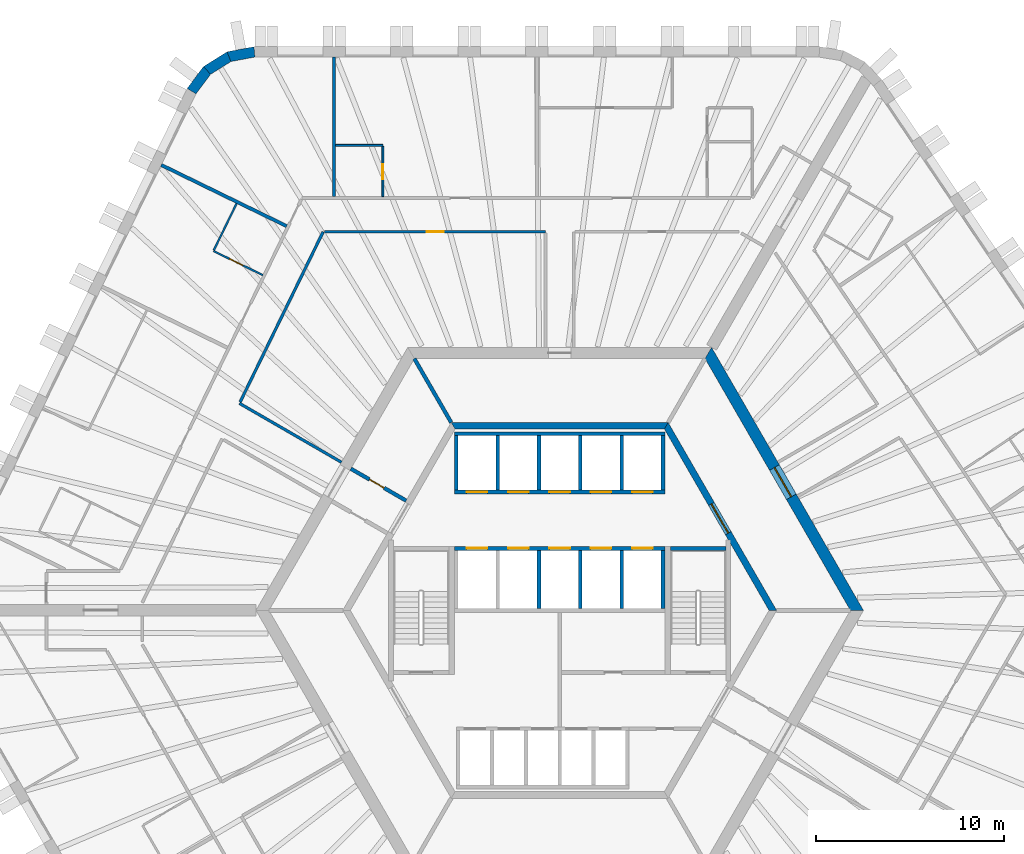
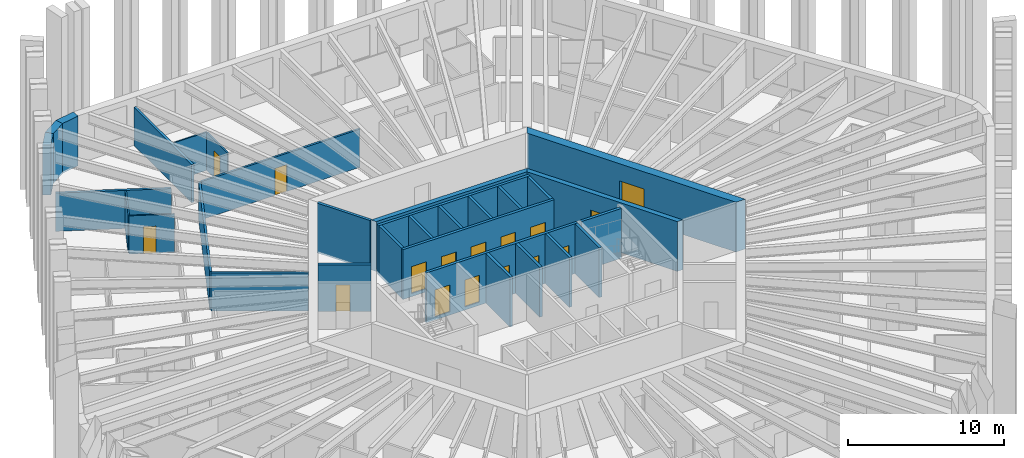
# One storey, part 8 of 13: 31 walls, 16 doors, 16 openings.
"""IFC4 building model written with IfcOpenShell, lengths in metres."""

from ifc_helpers import new_model, si_unit, direction, frame, frame_2d, origin, place, context, subcontext, project, spatial, polyline, rectangle, outline, extrude, material, layer, layer_set, type_object, element, fill, save


model = new_model("IFC4")

# Units and contexts
model_context = context("Model", 3, precision=1e-05, world=origin(), true_north=direction((0.0, 1.0)))
body_context = subcontext(model_context, "Body", "Model", "MODEL_VIEW")
ifc_project = project(units=[si_unit("LENGTHUNIT", "METRE"), si_unit("AREAUNIT", "SQUARE_METRE"), si_unit("VOLUMEUNIT", "CUBIC_METRE"), si_unit("PLANEANGLEUNIT", "RADIAN"), si_unit("MASSUNIT", "GRAM", prefix="KILO")], contexts=[model_context])

# Site, building, storey
site_placement = place(None, origin())
site = spatial("IfcSite", under=ifc_project, at=site_placement, CompositionType="ELEMENT")
building_placement = place(site_placement, origin())
building = spatial("IfcBuilding", under=site, at=building_placement, Name="Tarnside Tower", CompositionType="ELEMENT")
storey_placement = place(building_placement, frame((0.0, 0.0, 68.699951171875)))
storey = spatial("IfcBuildingStorey", under=building, at=storey_placement, Name="L14", CompositionType="ELEMENT", Elevation=68.699951171875)

# Wall
ifc_material_1 = material(Name="Gypsum board partition on steel studs", Category="steel")
ifc_layer_1 = layer(ifc_material_1, 0.10009765625)
ifc_layer_set_1 = layer_set([ifc_layer_1], Name="Bathroom wall 100")
wall_type_1 = type_object("IfcWallType", Name="Bathroom wall 100", PredefinedType="PARTITIONING", material=ifc_layer_set_1)
wall_1_placement = place(storey_placement, frame((-11.921142578125, 24.75, 0.0), z_axis=(0.0, 0.0, 1.0), x_axis=(1.0, 0.0, 0.0)))
element("IfcWall", 1, at=wall_1_placement, inside=storey, type_object=wall_type_1, Name="Bathroom wall 04086", PredefinedType="PARTITIONING", context=body_context, shape_type="SweptSolid", body=[
    extrude(rectangle(XDim=2.510009765625, YDim=0.10009765625, at=frame_2d((1.2548828125, 0.0))), origin(), (0.0, 0.0, 1.0), 2.98779296875),
])

# Wall, opening, door
wall_2_placement = place(storey_placement, frame((-9.4111328125, 24.699951171875, 0.0), z_axis=(0.0, 0.0, 1.0), x_axis=(0.0, -1.0, 0.0)))
wall_2 = element("IfcWall", 2, at=wall_2_placement, inside=storey, type_object=wall_type_1, Name="Bathroom wall 04087", PredefinedType="PARTITIONING", context=body_context, shape_type="SweptSolid", body=[
    extrude(rectangle(XDim=2.675048828125, YDim=0.10009765625, at=frame_2d((1.33740234375, 0.0))), origin(), (0.0, 0.0, 1.0), 2.98779296875),
])
opening_1_placement = place(wall_2_placement, frame((0.949951171875, 0.0, 0.0)))
opening_1 = element("IfcOpeningElement", 3, at=opening_1_placement, cuts=wall_2, Name="Opening D-B1", PredefinedType="OPENING", context=body_context, shape_type="SweptSolid", body=[
    extrude(rectangle(XDim=0.800048828125, YDim=2.10009765625, at=frame_2d((0.39990234375, 1.050048828125))), frame((0.0, 0.06005859375, 0.0), z_axis=(0.0, -1.0, 0.0), x_axis=(1.0, 0.0, 0.0)), (0.0, 0.0, 1.0), 0.1201171875),
])
ifc_material_2 = material(Name="Timber door leaf", Category="wood")
door_type_1 = type_object("IfcDoorType", Name="Bathroom door 800", OperationType="NOTDEFINED", PredefinedType="DOOR", material=ifc_material_2)
door_1_placement = place(opening_1_placement, origin())
door_1 = element("IfcDoor", 4, at=door_1_placement, inside=storey, type_object=door_type_1, Name="Bathroom door 04006", OperationType="SINGLE_SWING_LEFT", OverallHeight=2.10009765625, OverallWidth=0.800048828125, PredefinedType="DOOR", context=body_context, shape_type="SweptSolid", body=[
    extrude(rectangle(XDim=0.800048828125, YDim=2.10009765625, at=frame_2d((0.39990234375, 1.050048828125))), frame((0.0, 0.02490234375, 0.0), z_axis=(0.0, -1.0, 0.0), x_axis=(1.0, 0.0, 0.0)), (0.0, 0.0, 1.0), 0.050048828125),
])
fill(opening_1, door_1)

wall_3_placement = place(storey_placement, frame((-15.802001953125, 17.84423828125, 0.0), z_axis=(0.0, 0.0, 1.0), x_axis=(-0.898790906006, 0.438377585285, 0.0)))
wall_3 = element("IfcWall", 5, at=wall_3_placement, inside=storey, type_object=wall_type_1, Name="Bathroom wall 04092", PredefinedType="PARTITIONING", context=body_context, shape_type="SweptSolid", body=[
    extrude(rectangle(XDim=2.925048828125, YDim=0.10009765625, at=frame_2d((1.46240234375, 0.0))), origin(), (0.0, 0.0, 1.0), 2.98779296875),
])
opening_2_placement = place(wall_3_placement, frame((1.175048828125, 0.0, 0.0)))
opening_2 = element("IfcOpeningElement", 6, at=opening_2_placement, cuts=wall_3, Name="Opening D-B1", PredefinedType="OPENING", context=body_context, shape_type="SweptSolid", body=[
    extrude(rectangle(XDim=0.800048828125, YDim=2.10009765625, at=frame_2d((0.39990234375, 1.050048828125))), frame((0.0, 0.06005859375, 0.0), z_axis=(0.0, -1.0, 0.0), x_axis=(1.0, 0.0, 0.0)), (0.0, 0.0, 1.0), 0.1201171875),
])
door_2_placement = place(opening_2_placement, origin())
door_2 = element("IfcDoor", 7, at=door_2_placement, inside=storey, type_object=door_type_1, Name="Bathroom door 04009", OperationType="SINGLE_SWING_LEFT", OverallHeight=2.10009765625, OverallWidth=0.800048828125, PredefinedType="DOOR", context=body_context, shape_type="SweptSolid", body=[
    extrude(rectangle(XDim=0.800048828125, YDim=2.10009765625, at=frame_2d((0.39990234375, 1.050048828125))), frame((0.0, 0.02490234375, 0.0), z_axis=(0.0, -1.0, 0.0), x_axis=(1.0, 0.0, 0.0)), (0.0, 0.0, 1.0), 0.050048828125),
])
fill(opening_2, door_2)

# Wall
wall_4_placement = place(storey_placement, frame((-18.408935546875, 19.17138671875, 0.0), z_axis=(0.0, 0.0, 1.0), x_axis=(0.438416660488, 0.898771846359, 0.0)))
element("IfcWall", 8, at=wall_4_placement, inside=storey, type_object=wall_type_1, Name="Bathroom wall 04093", PredefinedType="PARTITIONING", context=body_context, shape_type="SweptSolid", body=[
    extrude(rectangle(XDim=2.759765625, YDim=0.10009765625, at=frame_2d((1.3798828125, 0.0))), origin(), (0.0, 0.0, 1.0), 2.98779296875),
])

# Wall, opening, door
ifc_material_3 = material(Name="Concrete C50/60", Category="concrete")
ifc_layer_2 = layer(ifc_material_3, 0.35009765625)
ifc_layer_set_2 = layer_set([ifc_layer_2], Name="Core block wall 350 C50/60")
wall_type_2 = type_object("IfcWallType", Name="Core block wall 350 C50/60", PredefinedType="SHEAR", material=ifc_layer_set_2)
wall_5_placement = place(storey_placement, frame((11.344970703125, 0.0, -0.14990234375), z_axis=(0.0, 0.0, 1.0), x_axis=(-0.499995046907, 0.866028263435, 0.0)))
wall_5 = element("IfcWall", 9, at=wall_5_placement, inside=storey, type_object=wall_type_2, Name="L14 core block wall face 6", PredefinedType="SHEAR", context=body_context, shape_type="SweptSolid", body=[
    extrude(outline(polyline([(-0.10107421875, -0.175048828125), (11.44580078125, -0.175048828125), (11.24365234375, 0.175048828125), (0.10107421875, 0.175048828125), (-0.10107421875, -0.175048828125)])), origin(), (0.0, 0.0, 1.0), 3.89990234375),
])
opening_3_placement = place(wall_5_placement, frame((4.74365234375, 0.0, 0.14990234375)))
opening_3 = element("IfcOpeningElement", 10, at=opening_3_placement, cuts=wall_5, Name="Opening CD-LOB", PredefinedType="OPENING", context=body_context, shape_type="SweptSolid", body=[
    extrude(rectangle(XDim=1.800048828125, YDim=2.39990234375, at=frame_2d((0.89990234375, 1.199951171875))), frame((0.0, 0.18505859375, 0.0), z_axis=(0.0, -1.0, 0.0), x_axis=(1.0, 0.0, 0.0)), (0.0, 0.0, 1.0), 0.3701171875),
])
ifc_material_4 = material(Name="Steel fire door", Category="steel")
door_type_2 = type_object("IfcDoorType", Name="Lobby double door FD30S 1800x2400", OperationType="NOTDEFINED", PredefinedType="DOOR", material=ifc_material_4)
door_3_placement = place(opening_3_placement, origin())
door_3 = element("IfcDoor", 11, at=door_3_placement, inside=storey, type_object=door_type_2, Name="L14 lobby block door P2", OperationType="DOUBLE_DOOR_SINGLE_SWING", OverallHeight=2.39990234375, OverallWidth=1.800048828125, PredefinedType="DOOR", context=body_context, shape_type="SweptSolid", body=[
    extrude(rectangle(XDim=1.800048828125, YDim=2.39990234375, at=frame_2d((0.89990234375, 1.199951171875))), frame((0.0, 0.02490234375, 0.0), z_axis=(0.0, -1.0, 0.0), x_axis=(1.0, 0.0, 0.0)), (0.0, 0.0, 1.0), 0.050048828125),
])
fill(opening_3, door_3)

# Wall
wall_6_placement = place(storey_placement, frame((5.672607421875, 9.824951171875, -0.14990234375), z_axis=(0.0, 0.0, 1.0), x_axis=(-1.0, 0.0, 0.0)))
element("IfcWall", 12, at=wall_6_placement, inside=storey, type_object=wall_type_2, Name="L14 core block wall face 1", PredefinedType="SHEAR", context=body_context, shape_type="SweptSolid", body=[
    extrude(outline(polyline([(-0.10107421875, -0.175048828125), (11.4462890625, -0.175048828125), (11.244140625, 0.175048828125), (0.10107421875, 0.175048828125), (-0.10107421875, -0.175048828125)])), origin(), (0.0, 0.0, 1.0), 3.89990234375),
])

# Wall, opening, door
ifc_material_5 = material(Name="Concrete C40/50", Category="concrete")
ifc_layer_3 = layer(ifc_material_5, 0.199951171875)
ifc_layer_set_3 = layer_set([ifc_layer_3], Name="Core room partition 200 C40/50")
wall_type_3 = type_object("IfcWallType", Name="Core room partition 200 C40/50", PredefinedType="PARTITIONING", material=ifc_layer_set_3)
wall_7_placement = place(storey_placement, frame((-8.1748046875, 5.841064453125, 0.0), z_axis=(0.0, 0.0, 1.0), x_axis=(-0.866020560687, 0.500008388397, 0.0)))
wall_7 = element("IfcWall", 13, at=wall_7_placement, inside=storey, type_object=wall_type_3, Name="L14 core partition AC1R", PredefinedType="PARTITIONING", context=body_context, shape_type="SweptSolid", body=[
    extrude(rectangle(XDim=3.39990234375, YDim=0.199951171875, at=frame_2d((1.699951171875, 0.0))), origin(), (0.0, 0.0, 1.0), 3.650146484375),
])
opening_4_placement = place(wall_7_placement, frame((1.349609375, 0.0, 0.0)))
opening_4 = element("IfcOpeningElement", 14, at=opening_4_placement, cuts=wall_7, Name="Opening CD-room", PredefinedType="OPENING", context=body_context, shape_type="SweptSolid", body=[
    extrude(rectangle(XDim=0.89990234375, YDim=2.10009765625, at=frame_2d((0.449951171875, 1.050048828125))), frame((0.0, 0.10986328125, 0.0), z_axis=(0.0, -1.0, 0.0), x_axis=(1.0, 0.0, 0.0)), (0.0, 0.0, 1.0), 0.219970703125),
])
door_type_3 = type_object("IfcDoorType", Name="Room door FD60 900x2100", OperationType="NOTDEFINED", PredefinedType="DOOR", material=ifc_material_4)
door_4_placement = place(opening_4_placement, origin())
door_4 = element("IfcDoor", 15, at=door_4_placement, inside=storey, type_object=door_type_3, Name="L14 core room door AX1R", OperationType="SINGLE_SWING_LEFT", OverallHeight=2.10009765625, OverallWidth=0.89990234375, PredefinedType="DOOR", context=body_context, shape_type="SweptSolid", body=[
    extrude(rectangle(XDim=0.89990234375, YDim=2.10009765625, at=frame_2d((0.449951171875, 1.050048828125))), frame((0.0, 0.02490234375, 0.0), z_axis=(0.0, -1.0, 0.0), x_axis=(1.0, 0.0, 0.0)), (0.0, 0.0, 1.0), 0.050048828125),
])
fill(opening_4, door_4)

ifc_material_6 = material(Name="Concrete C80/95", Category="concrete")
ifc_layer_4 = layer(ifc_material_6, 0.60009765625)
ifc_layer_set_4 = layer_set([ifc_layer_4], Name="Core wall Z1 600 C80/95")
wall_type_4 = type_object("IfcWallType", Name="Core wall Z1 600 C80/95", PredefinedType="SHEAR", material=ifc_layer_set_4)
wall_8_placement = place(storey_placement, frame((15.8193359375, 0.0, -0.14990234375), z_axis=(0.0, 0.0, 1.0), x_axis=(-0.499999880136, 0.866025472988, 0.0)))
wall_8 = element("IfcWall", 16, at=wall_8_placement, inside=storey, type_object=wall_type_4, Name="L14 core wall face 6", PredefinedType="SHEAR", context=body_context, shape_type="SweptSolid", body=[
    extrude(outline(polyline([(-0.17333984375, -0.300048828125), (15.99267578125, -0.300048828125), (15.64599609375, 0.300048828125), (0.17333984375, 0.300048828125), (-0.17333984375, -0.300048828125)])), origin(), (0.0, 0.0, 1.0), 3.89990234375),
])
opening_5_placement = place(wall_8_placement, frame((6.980712890625, 0.0, 0.14990234375)))
opening_5 = element("IfcOpeningElement", 17, at=opening_5_placement, cuts=wall_8, Name="Opening CD-LOB", PredefinedType="OPENING", context=body_context, shape_type="SweptSolid", body=[
    extrude(rectangle(XDim=1.800048828125, YDim=2.39990234375, at=frame_2d((0.89990234375, 1.199951171875))), frame((0.0, 0.31005859375, 0.0), z_axis=(0.0, -1.0, 0.0), x_axis=(1.0, 0.0, 0.0)), (0.0, 0.0, 1.0), 0.6201171875),
])
door_5_placement = place(opening_5_placement, origin())
door_5 = element("IfcDoor", 18, at=door_5_placement, inside=storey, type_object=door_type_2, Name="L14 core door P2", OperationType="DOUBLE_DOOR_SINGLE_SWING", OverallHeight=2.39990234375, OverallWidth=1.800048828125, PredefinedType="DOOR", context=body_context, shape_type="SweptSolid", body=[
    extrude(rectangle(XDim=1.800048828125, YDim=2.39990234375, at=frame_2d((0.89990234375, 1.199951171875))), frame((0.0, 0.02490234375, 0.0), z_axis=(0.0, -1.0, 0.0), x_axis=(1.0, 0.0, 0.0)), (0.0, 0.0, 1.0), 0.050048828125),
])
fill(opening_5, door_5)

# Walls
ifc_layer_5 = layer(ifc_material_1, 0.14990234375)
ifc_layer_set_5 = layer_set([ifc_layer_5], Name="Corridor wall 150 EI 60")
wall_type_5 = type_object("IfcWallType", Name="Corridor wall 150 EI 60", PredefinedType="PARTITIONING", material=ifc_layer_set_5)
wall_9_placement = place(storey_placement, frame((-11.61376953125, 7.88427734375, 0.0), z_axis=(0.0, 0.0, 1.0), x_axis=(-0.866025438137, 0.4999999405, 0.0)))
element("IfcWall", 19, at=wall_9_placement, inside=storey, type_object=wall_type_5, Name="Corridor wall 04016", PredefinedType="PARTITIONING", context=body_context, shape_type="SweptSolid", body=[
    extrude(rectangle(XDim=6.2705078125, YDim=0.14990234375, at=frame_2d((3.13525390625, 0.0))), origin(), (0.0, 0.0, 1.0), 2.98779296875),
])
wall_10_placement = place(storey_placement, frame((-17.01123046875, 11.087158203125, 0.0), z_axis=(0.0, 0.0, 1.0), x_axis=(0.43836877185, 0.898795204631, 0.0)))
element("IfcWall", 20, at=wall_10_placement, inside=storey, type_object=wall_type_5, Name="Corridor wall 04017", PredefinedType="PARTITIONING", context=body_context, shape_type="SweptSolid", body=[
    extrude(rectangle(XDim=10.083251953125, YDim=0.14990234375, at=frame_2d((5.04150390625, 0.0))), origin(), (0.0, 0.0, 1.0), 2.98779296875),
])

# Wall, opening, door
wall_11_placement = place(storey_placement, frame((-12.507568359375, 20.14990234375, 0.0), z_axis=(0.0, 0.0, 1.0), x_axis=(1.0, 0.0, 0.0)))
wall_11 = element("IfcWall", 21, at=wall_11_placement, inside=storey, type_object=wall_type_5, Name="Corridor wall 04018", PredefinedType="PARTITIONING", context=body_context, shape_type="SweptSolid", body=[
    extrude(rectangle(XDim=11.757568359375, YDim=0.14990234375, at=frame_2d((5.87890625, 0.0))), origin(), (0.0, 0.0, 1.0), 2.98779296875),
])
opening_6_placement = place(wall_11_placement, frame((5.428955078125, 0.0, 0.0)))
opening_6 = element("IfcOpeningElement", 22, at=opening_6_placement, cuts=wall_11, Name="Opening D-S1", PredefinedType="OPENING", context=body_context, shape_type="SweptSolid", body=[
    extrude(rectangle(XDim=0.89990234375, YDim=2.10009765625, at=frame_2d((0.449951171875, 1.050048828125))), frame((0.0, 0.0849609375, 0.0), z_axis=(0.0, -1.0, 0.0), x_axis=(1.0, 0.0, 0.0)), (0.0, 0.0, 1.0), 0.169921875),
])
door_type_4 = type_object("IfcDoorType", Name="Service room door 900 FD30S", OperationType="NOTDEFINED", PredefinedType="DOOR", material=ifc_material_2)
door_6_placement = place(opening_6_placement, origin())
door_6 = element("IfcDoor", 23, at=door_6_placement, inside=storey, type_object=door_type_4, Name="Service door 04041", OperationType="SINGLE_SWING_RIGHT", OverallHeight=2.10009765625, OverallWidth=0.89990234375, PredefinedType="DOOR", context=body_context, shape_type="SweptSolid", body=[
    extrude(rectangle(XDim=0.89990234375, YDim=2.10009765625, at=frame_2d((0.449951171875, 1.050048828125))), frame((0.0, 0.02490234375, 0.0), z_axis=(0.0, -1.0, 0.0), x_axis=(1.0, 0.0, 0.0)), (0.0, 0.0, 1.0), 0.050048828125),
])
fill(opening_6, door_6)

# Walls
ifc_layer_6 = layer(ifc_material_1, 0.179931640625)
ifc_layer_set_6 = layer_set([ifc_layer_6], Name="Demising wall 180 EI 60")
wall_type_6 = type_object("IfcWallType", Name="Demising wall 180 EI 60", PredefinedType="PARTITIONING", material=ifc_layer_set_6)
for number, where, z_axis, x_axis, name in (
    (24, (-12.010986328125, 29.449951171875, 0.0), (0.0, 0.0, 1.0), (0.0, -1.0, 0.0), "Demising wall 04088"),
    (25, (-21.2041015625, 23.70556640625, 0.0), (0.0, 0.0, 1.0), (0.898796252669, -0.438366623032, 0.0), "Demising wall 04090"),
):
    element("IfcWall", number, at=place(storey_placement, frame(where, z_axis=z_axis, x_axis=x_axis)), inside=storey, type_object=wall_type_6, Name=name, PredefinedType="PARTITIONING", context=body_context, shape_type="SweptSolid", body=[
        extrude(rectangle(XDim=7.425048828125, YDim=0.179931640625, at=frame_2d((3.71240234375, 0.0))), origin(), (0.0, 0.0, 1.0), 2.98779296875),
    ])

# Wall, openings, doors
ifc_layer_7 = layer(ifc_material_5, 0.199951171875)
ifc_layer_set_7 = layer_set([ifc_layer_7], Name="Lift shaft wall 200 C40/50")
wall_type_7 = type_object("IfcWallType", Name="Lift shaft wall 200 C40/50", PredefinedType="SHEAR", material=ifc_layer_set_7)
wall_12_placement = place(storey_placement, frame((-5.60009765625, 6.300048828125, -0.25), z_axis=(0.0, 0.0, 1.0), x_axis=(1.0, 0.0, 0.0)))
wall_12 = element("IfcWall", 26, at=wall_12_placement, inside=storey, type_object=wall_type_7, Name="L14 lift shaft front wall R1", PredefinedType="SHEAR", context=body_context, shape_type="SweptSolid", body=[
    extrude(rectangle(XDim=11.2001953125, YDim=0.199951171875, at=frame_2d((5.60009765625, 0.0))), origin(), (0.0, 0.0, 1.0), 3.900146484375),
])
opening_7_placement = place(wall_12_placement, frame((0.64990234375, 0.0, 0.25)))
opening_7 = element("IfcOpeningElement", 27, at=opening_7_placement, cuts=wall_12, Name="Opening LD", PredefinedType="OPENING", context=body_context, shape_type="SweptSolid", body=[
    extrude(rectangle(XDim=1.10009765625, YDim=2.10009765625, at=frame_2d((0.550048828125, 1.050048828125))), frame((0.0, 0.10986328125, 0.0), z_axis=(0.0, -1.0, 0.0), x_axis=(1.0, 0.0, 0.0)), (0.0, 0.0, 1.0), 0.219970703125),
])
opening_8_placement = place(wall_12_placement, frame((2.85009765625, 0.0, 0.25)))
opening_8 = element("IfcOpeningElement", 28, at=opening_8_placement, cuts=wall_12, Name="Opening LD", PredefinedType="OPENING", context=body_context, shape_type="SweptSolid", body=[
    extrude(rectangle(XDim=1.10009765625, YDim=2.10009765625, at=frame_2d((0.550048828125, 1.050048828125))), frame((0.0, 0.10986328125, 0.0), z_axis=(0.0, -1.0, 0.0), x_axis=(1.0, 0.0, 0.0)), (0.0, 0.0, 1.0), 0.219970703125),
])
opening_9_placement = place(wall_12_placement, frame((5.050048828125, 0.0, 0.25)))
opening_9 = element("IfcOpeningElement", 29, at=opening_9_placement, cuts=wall_12, Name="Opening LD", PredefinedType="OPENING", context=body_context, shape_type="SweptSolid", body=[
    extrude(rectangle(XDim=1.10009765625, YDim=2.10009765625, at=frame_2d((0.550048828125, 1.050048828125))), frame((0.0, 0.10986328125, 0.0), z_axis=(0.0, -1.0, 0.0), x_axis=(1.0, 0.0, 0.0)), (0.0, 0.0, 1.0), 0.219970703125),
])
opening_10_placement = place(wall_12_placement, frame((7.25, 0.0, 0.25)))
opening_10 = element("IfcOpeningElement", 30, at=opening_10_placement, cuts=wall_12, Name="Opening LD", PredefinedType="OPENING", context=body_context, shape_type="SweptSolid", body=[
    extrude(rectangle(XDim=1.10009765625, YDim=2.10009765625, at=frame_2d((0.550048828125, 1.050048828125))), frame((0.0, 0.10986328125, 0.0), z_axis=(0.0, -1.0, 0.0), x_axis=(1.0, 0.0, 0.0)), (0.0, 0.0, 1.0), 0.219970703125),
])
opening_11_placement = place(wall_12_placement, frame((9.449951171875, 0.0, 0.25)))
opening_11 = element("IfcOpeningElement", 31, at=opening_11_placement, cuts=wall_12, Name="Opening LD", PredefinedType="OPENING", context=body_context, shape_type="SweptSolid", body=[
    extrude(rectangle(XDim=1.10009765625, YDim=2.10009765625, at=frame_2d((0.550048828125, 1.050048828125))), frame((0.0, 0.10986328125, 0.0), z_axis=(0.0, -1.0, 0.0), x_axis=(1.0, 0.0, 0.0)), (0.0, 0.0, 1.0), 0.219970703125),
])
ifc_material_7 = material(Name="Stainless steel", Category="steel")
door_type_5 = type_object("IfcDoorType", Name="Lift landing door 1100x2100", OperationType="NOTDEFINED", PredefinedType="DOOR", material=ifc_material_7)
door_7_placement = place(opening_7_placement, origin())
door_7 = element("IfcDoor", 32, at=door_7_placement, inside=storey, type_object=door_type_5, Name="Low-rise lift 1 landing door L14", OperationType="SLIDING_TO_LEFT", OverallHeight=2.10009765625, OverallWidth=1.10009765625, PredefinedType="DOOR", context=body_context, shape_type="SweptSolid", body=[
    extrude(rectangle(XDim=1.10009765625, YDim=2.10009765625, at=frame_2d((0.550048828125, 1.050048828125))), frame((0.0, 0.02490234375, 0.0), z_axis=(0.0, -1.0, 0.0), x_axis=(1.0, 0.0, 0.0)), (0.0, 0.0, 1.0), 0.050048828125),
])
fill(opening_7, door_7)
door_8_placement = place(opening_8_placement, origin())
door_8 = element("IfcDoor", 33, at=door_8_placement, inside=storey, type_object=door_type_5, Name="Low-rise lift 2 landing door L14", OperationType="SLIDING_TO_LEFT", OverallHeight=2.10009765625, OverallWidth=1.10009765625, PredefinedType="DOOR", context=body_context, shape_type="SweptSolid", body=[
    extrude(rectangle(XDim=1.10009765625, YDim=2.10009765625, at=frame_2d((0.550048828125, 1.050048828125))), frame((0.0, 0.02490234375, 0.0), z_axis=(0.0, -1.0, 0.0), x_axis=(1.0, 0.0, 0.0)), (0.0, 0.0, 1.0), 0.050048828125),
])
fill(opening_8, door_8)
door_9_placement = place(opening_9_placement, origin())
door_9 = element("IfcDoor", 34, at=door_9_placement, inside=storey, type_object=door_type_5, Name="Low-rise lift 3 landing door L14", OperationType="SLIDING_TO_LEFT", OverallHeight=2.10009765625, OverallWidth=1.10009765625, PredefinedType="DOOR", context=body_context, shape_type="SweptSolid", body=[
    extrude(rectangle(XDim=1.10009765625, YDim=2.10009765625, at=frame_2d((0.550048828125, 1.050048828125))), frame((0.0, 0.02490234375, 0.0), z_axis=(0.0, -1.0, 0.0), x_axis=(1.0, 0.0, 0.0)), (0.0, 0.0, 1.0), 0.050048828125),
])
fill(opening_9, door_9)
door_10_placement = place(opening_10_placement, origin())
door_10 = element("IfcDoor", 35, at=door_10_placement, inside=storey, type_object=door_type_5, Name="Low sky-lobby shuttle 1 landing door L14", OperationType="SLIDING_TO_LEFT", OverallHeight=2.10009765625, OverallWidth=1.10009765625, PredefinedType="DOOR", context=body_context, shape_type="SweptSolid", body=[
    extrude(rectangle(XDim=1.10009765625, YDim=2.10009765625, at=frame_2d((0.550048828125, 1.050048828125))), frame((0.0, 0.02490234375, 0.0), z_axis=(0.0, -1.0, 0.0), x_axis=(1.0, 0.0, 0.0)), (0.0, 0.0, 1.0), 0.050048828125),
])
fill(opening_10, door_10)
door_11_placement = place(opening_11_placement, origin())
door_11 = element("IfcDoor", 36, at=door_11_placement, inside=storey, type_object=door_type_5, Name="Low sky-lobby shuttle 2 landing door L14", OperationType="SLIDING_TO_LEFT", OverallHeight=2.10009765625, OverallWidth=1.10009765625, PredefinedType="DOOR", context=body_context, shape_type="SweptSolid", body=[
    extrude(rectangle(XDim=1.10009765625, YDim=2.10009765625, at=frame_2d((0.550048828125, 1.050048828125))), frame((0.0, 0.02490234375, 0.0), z_axis=(0.0, -1.0, 0.0), x_axis=(1.0, 0.0, 0.0)), (0.0, 0.0, 1.0), 0.050048828125),
])
fill(opening_11, door_11)

# Walls
wall_13_placement = place(storey_placement, frame((-5.60009765625, 9.39990234375, -0.25), z_axis=(0.0, 0.0, 1.0), x_axis=(1.0, 0.0, 0.0)))
element("IfcWall", 37, at=wall_13_placement, inside=storey, type_object=wall_type_7, Name="L14 lift shaft back wall R1", PredefinedType="SHEAR", context=body_context, shape_type="SweptSolid", body=[
    extrude(rectangle(XDim=11.2001953125, YDim=0.199951171875, at=frame_2d((5.60009765625, 0.0))), origin(), (0.0, 0.0, 1.0), 3.900146484375),
])
for number, where, z_axis, x_axis, name in (
    (38, (-5.5, 6.39990234375, -0.25), (0.0, 0.0, 1.0), (0.0, 1.0, 0.0), "L14 lift shaft partition R11"),
    (39, (-3.300048828125, 6.39990234375, -0.25), (0.0, 0.0, 1.0), (0.0, 1.0, 0.0), "L14 lift shaft partition R12"),
    (40, (-1.10009765625, 6.39990234375, -0.25), (0.0, 0.0, 1.0), (0.0, 1.0, 0.0), "L14 lift shaft partition R13"),
    (41, (1.10009765625, 6.39990234375, -0.25), (0.0, 0.0, 1.0), (0.0, 1.0, 0.0), "L14 lift shaft partition R14"),
    (42, (3.300048828125, 6.39990234375, -0.25), (0.0, 0.0, 1.0), (0.0, 1.0, 0.0), "L14 lift shaft partition R15"),
    (43, (5.5, 6.39990234375, -0.25), (0.0, 0.0, 1.0), (0.0, 1.0, 0.0), "L14 lift shaft partition R16"),
):
    element("IfcWall", number, at=place(storey_placement, frame(where, z_axis=z_axis, x_axis=x_axis)), inside=storey, type_object=wall_type_7, Name=name, PredefinedType="SHEAR", context=body_context, shape_type="SweptSolid", body=[
        extrude(rectangle(XDim=2.900146484375, YDim=0.199951171875, at=frame_2d((1.4501953125, 0.0))), origin(), (0.0, 0.0, 1.0), 3.900146484375),
    ])

# Wall, openings, doors
wall_14_placement = place(storey_placement, frame((-5.60009765625, 3.300048828125, -0.25), z_axis=(0.0, 0.0, 1.0), x_axis=(1.0, 0.0, 0.0)))
wall_14 = element("IfcWall", 44, at=wall_14_placement, inside=storey, type_object=wall_type_7, Name="L14 lift shaft front wall R2", PredefinedType="SHEAR", context=body_context, shape_type="SweptSolid", body=[
    extrude(rectangle(XDim=11.2001953125, YDim=0.199951171875, at=frame_2d((5.60009765625, 0.0))), origin(), (0.0, 0.0, 1.0), 3.900146484375),
])
opening_12_placement = place(wall_14_placement, frame((0.64990234375, 0.0, 0.25)))
opening_12 = element("IfcOpeningElement", 45, at=opening_12_placement, cuts=wall_14, Name="Opening LD", PredefinedType="OPENING", context=body_context, shape_type="SweptSolid", body=[
    extrude(rectangle(XDim=1.10009765625, YDim=2.10009765625, at=frame_2d((0.550048828125, 1.050048828125))), frame((0.0, 0.10986328125, 0.0), z_axis=(0.0, -1.0, 0.0), x_axis=(1.0, 0.0, 0.0)), (0.0, 0.0, 1.0), 0.219970703125),
])
opening_13_placement = place(wall_14_placement, frame((2.85009765625, 0.0, 0.25)))
opening_13 = element("IfcOpeningElement", 46, at=opening_13_placement, cuts=wall_14, Name="Opening LD", PredefinedType="OPENING", context=body_context, shape_type="SweptSolid", body=[
    extrude(rectangle(XDim=1.10009765625, YDim=2.10009765625, at=frame_2d((0.550048828125, 1.050048828125))), frame((0.0, 0.10986328125, 0.0), z_axis=(0.0, -1.0, 0.0), x_axis=(1.0, 0.0, 0.0)), (0.0, 0.0, 1.0), 0.219970703125),
])
opening_14_placement = place(wall_14_placement, frame((5.050048828125, 0.0, 0.25)))
opening_14 = element("IfcOpeningElement", 47, at=opening_14_placement, cuts=wall_14, Name="Opening LD", PredefinedType="OPENING", context=body_context, shape_type="SweptSolid", body=[
    extrude(rectangle(XDim=1.10009765625, YDim=2.10009765625, at=frame_2d((0.550048828125, 1.050048828125))), frame((0.0, 0.10986328125, 0.0), z_axis=(0.0, -1.0, 0.0), x_axis=(1.0, 0.0, 0.0)), (0.0, 0.0, 1.0), 0.219970703125),
])
opening_15_placement = place(wall_14_placement, frame((7.25, 0.0, 0.25)))
opening_15 = element("IfcOpeningElement", 48, at=opening_15_placement, cuts=wall_14, Name="Opening LD", PredefinedType="OPENING", context=body_context, shape_type="SweptSolid", body=[
    extrude(rectangle(XDim=1.10009765625, YDim=2.10009765625, at=frame_2d((0.550048828125, 1.050048828125))), frame((0.0, 0.10986328125, 0.0), z_axis=(0.0, -1.0, 0.0), x_axis=(1.0, 0.0, 0.0)), (0.0, 0.0, 1.0), 0.219970703125),
])
opening_16_placement = place(wall_14_placement, frame((9.449951171875, 0.0, 0.25)))
opening_16 = element("IfcOpeningElement", 49, at=opening_16_placement, cuts=wall_14, Name="Opening LD", PredefinedType="OPENING", context=body_context, shape_type="SweptSolid", body=[
    extrude(rectangle(XDim=1.10009765625, YDim=2.10009765625, at=frame_2d((0.550048828125, 1.050048828125))), frame((0.0, 0.10986328125, 0.0), z_axis=(0.0, -1.0, 0.0), x_axis=(1.0, 0.0, 0.0)), (0.0, 0.0, 1.0), 0.219970703125),
])
door_12_placement = place(opening_12_placement, origin())
door_12 = element("IfcDoor", 50, at=door_12_placement, inside=storey, type_object=door_type_5, Name="Low-rise lift 4 landing door L14", OperationType="SLIDING_TO_LEFT", OverallHeight=2.10009765625, OverallWidth=1.10009765625, PredefinedType="DOOR", context=body_context, shape_type="SweptSolid", body=[
    extrude(rectangle(XDim=1.10009765625, YDim=2.10009765625, at=frame_2d((0.550048828125, 1.050048828125))), frame((0.0, 0.02490234375, 0.0), z_axis=(0.0, -1.0, 0.0), x_axis=(1.0, 0.0, 0.0)), (0.0, 0.0, 1.0), 0.050048828125),
])
fill(opening_12, door_12)
door_13_placement = place(opening_13_placement, origin())
door_13 = element("IfcDoor", 51, at=door_13_placement, inside=storey, type_object=door_type_5, Name="Low-rise lift 5 landing door L14", OperationType="SLIDING_TO_LEFT", OverallHeight=2.10009765625, OverallWidth=1.10009765625, PredefinedType="DOOR", context=body_context, shape_type="SweptSolid", body=[
    extrude(rectangle(XDim=1.10009765625, YDim=2.10009765625, at=frame_2d((0.550048828125, 1.050048828125))), frame((0.0, 0.02490234375, 0.0), z_axis=(0.0, -1.0, 0.0), x_axis=(1.0, 0.0, 0.0)), (0.0, 0.0, 1.0), 0.050048828125),
])
fill(opening_13, door_13)
door_14_placement = place(opening_14_placement, origin())
door_14 = element("IfcDoor", 52, at=door_14_placement, inside=storey, type_object=door_type_5, Name="Low-rise lift 6 landing door L14", OperationType="SLIDING_TO_LEFT", OverallHeight=2.10009765625, OverallWidth=1.10009765625, PredefinedType="DOOR", context=body_context, shape_type="SweptSolid", body=[
    extrude(rectangle(XDim=1.10009765625, YDim=2.10009765625, at=frame_2d((0.550048828125, 1.050048828125))), frame((0.0, 0.02490234375, 0.0), z_axis=(0.0, -1.0, 0.0), x_axis=(1.0, 0.0, 0.0)), (0.0, 0.0, 1.0), 0.050048828125),
])
fill(opening_14, door_14)
door_15_placement = place(opening_15_placement, origin())
door_15 = element("IfcDoor", 53, at=door_15_placement, inside=storey, type_object=door_type_5, Name="High sky-lobby shuttle 1 landing door L14", OperationType="SLIDING_TO_LEFT", OverallHeight=2.10009765625, OverallWidth=1.10009765625, PredefinedType="DOOR", context=body_context, shape_type="SweptSolid", body=[
    extrude(rectangle(XDim=1.10009765625, YDim=2.10009765625, at=frame_2d((0.550048828125, 1.050048828125))), frame((0.0, 0.02490234375, 0.0), z_axis=(0.0, -1.0, 0.0), x_axis=(1.0, 0.0, 0.0)), (0.0, 0.0, 1.0), 0.050048828125),
])
fill(opening_15, door_15)
door_16_placement = place(opening_16_placement, origin())
door_16 = element("IfcDoor", 54, at=door_16_placement, inside=storey, type_object=door_type_5, Name="Express sky-lobby shuttle 2 landing door L14", OperationType="SLIDING_TO_LEFT", OverallHeight=2.10009765625, OverallWidth=1.10009765625, PredefinedType="DOOR", context=body_context, shape_type="SweptSolid", body=[
    extrude(rectangle(XDim=1.10009765625, YDim=2.10009765625, at=frame_2d((0.550048828125, 1.050048828125))), frame((0.0, 0.02490234375, 0.0), z_axis=(0.0, -1.0, 0.0), x_axis=(1.0, 0.0, 0.0)), (0.0, 0.0, 1.0), 0.050048828125),
])
fill(opening_16, door_16)

# Walls
for number, where, z_axis, x_axis, name in (
    (55, (-1.10009765625, 0.10009765625, -0.25), (0.0, 0.0, 1.0), (0.0, 1.0, 0.0), "L14 lift shaft partition R23"),
    (56, (1.10009765625, 0.10009765625, -0.25), (0.0, 0.0, 1.0), (0.0, 1.0, 0.0), "L14 lift shaft partition R24"),
    (57, (3.300048828125, 0.10009765625, -0.25), (0.0, 0.0, 1.0), (0.0, 1.0, 0.0), "L14 lift shaft partition R25"),
    (58, (5.5, 0.10009765625, -0.25), (0.0, 0.0, 1.0), (0.0, 1.0, 0.0), "L14 lift shaft partition R26"),
):
    element("IfcWall", number, at=place(storey_placement, frame(where, z_axis=z_axis, x_axis=x_axis)), inside=storey, type_object=wall_type_7, Name=name, PredefinedType="SHEAR", context=body_context, shape_type="SweptSolid", body=[
        extrude(rectangle(XDim=3.099853515625, YDim=0.199951171875, at=frame_2d((1.5498046875, 0.0))), origin(), (0.0, 0.0, 1.0), 3.900146484375),
    ])
wall_15_placement = place(storey_placement, frame((-5.7734375, 10.0, -0.14990234375), z_axis=(0.0, 0.0, 1.0), x_axis=(-0.500038251005, 0.86600331843, 0.0)))
element("IfcWall", 59, at=wall_15_placement, inside=storey, type_object=wall_type_7, Name="L14 core partition AR120", PredefinedType="SHEAR", context=body_context, shape_type="SweptSolid", body=[
    extrude(rectangle(XDim=3.926025390625, YDim=0.199951171875, at=frame_2d((1.962890625, 0.0))), origin(), (0.0, 0.0, 1.0), 3.89990234375),
])
wall_16_placement = place(storey_placement, frame((5.89990234375, 3.300048828125, -0.25), z_axis=(0.0, 0.0, 1.0), x_axis=(1.0, 0.0, 0.0)))
element("IfcWall", 60, at=wall_16_placement, inside=storey, type_object=wall_type_7, Name="L14 stair 1 enclosure cap wall n", PredefinedType="SHEAR", context=body_context, shape_type="SweptSolid", body=[
    extrude(rectangle(XDim=2.9501953125, YDim=0.199951171875, at=frame_2d((1.47509765625, 0.0))), origin(), (0.0, 0.0, 1.0), 3.900146484375),
])
ifc_material_8 = material(Name="Facing brick", Category="masonry")
ifc_layer_8 = layer(ifc_material_8, 0.10205078125)
ifc_material_9 = material(Name="Concrete C60/75 precast", Category="concrete")
ifc_layer_9 = layer(ifc_material_9, 0.347900390625)
ifc_material_10 = material(Name="Mineral wool insulation")
ifc_layer_10 = layer(ifc_material_10, 0.10009765625)
ifc_layer_set_8 = layer_set([ifc_layer_8, ifc_layer_9, ifc_layer_10], Name="Tube wall 550 brick faced")
wall_type_8 = type_object("IfcWallType", Name="Tube wall 550 brick faced", PredefinedType="SOLIDWALL", material=ifc_layer_set_8)
wall_17_placement = place(storey_placement, frame((-16.24658203125, 29.72509765625, -0.14990234375), z_axis=(0.0, 0.0, 1.0), x_axis=(-0.982705443133, -0.185175624845, 0.0)))
element("IfcWall", 61, at=wall_17_placement, inside=storey, type_object=wall_type_8, Name="Tube wall L14 F1 chord 01", PredefinedType="SOLIDWALL", context=body_context, shape_type="SweptSolid", body=[
    extrude(outline(polyline([(-0.025634765625, -0.27490234375), (1.430908203125, -0.27490234375), (1.327392578125, 0.27490234375), (0.025634765625, 0.27490234375), (-0.025634765625, -0.27490234375)])), origin(), (0.0, 0.0, 1.0), 3.89990234375),
])
wall_18_placement = place(storey_placement, frame((-17.601806640625, 29.4697265625, -0.14990234375), z_axis=(0.0, 0.0, 1.0), x_axis=(-0.848057977594, -0.5299034503, 0.0)))
element("IfcWall", 62, at=wall_18_placement, inside=storey, type_object=wall_type_8, Name="Tube wall L14 F1 chord 02", PredefinedType="SOLIDWALL", context=body_context, shape_type="SweptSolid", body=[
    extrude(outline(polyline([(-0.0517578125, -0.27490234375), (1.4306640625, -0.27490234375), (1.3271484375, 0.27490234375), (0.0517578125, 0.27490234375), (-0.0517578125, -0.27490234375)])), origin(), (0.0, 0.0, 1.0), 3.89990234375),
])
wall_19_placement = place(storey_placement, frame((-18.771240234375, 28.739013671875, -0.14990234375), z_axis=(0.0, 0.0, 1.0), x_axis=(-0.597135295884, -0.802140535324, 0.0)))
element("IfcWall", 63, at=wall_19_placement, inside=storey, type_object=wall_type_8, Name="Tube wall L14 F1 chord 03", PredefinedType="SOLIDWALL", context=body_context, shape_type="SweptSolid", body=[
    extrude(outline(polyline([(-0.0517578125, -0.27490234375), (1.40478515625, -0.27490234375), (1.353515625, 0.27490234375), (0.0517578125, 0.27490234375), (-0.0517578125, -0.27490234375)])), origin(), (0.0, 0.0, 1.0), 3.89990234375),
])

save(model, "model.ifc")
